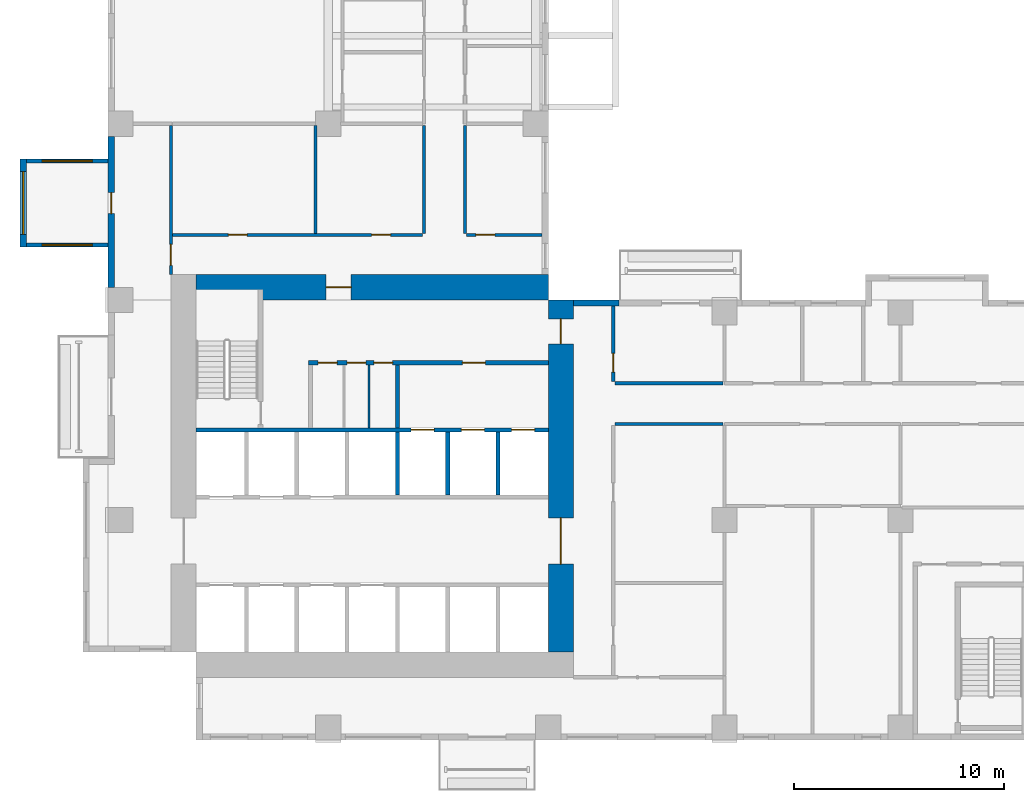
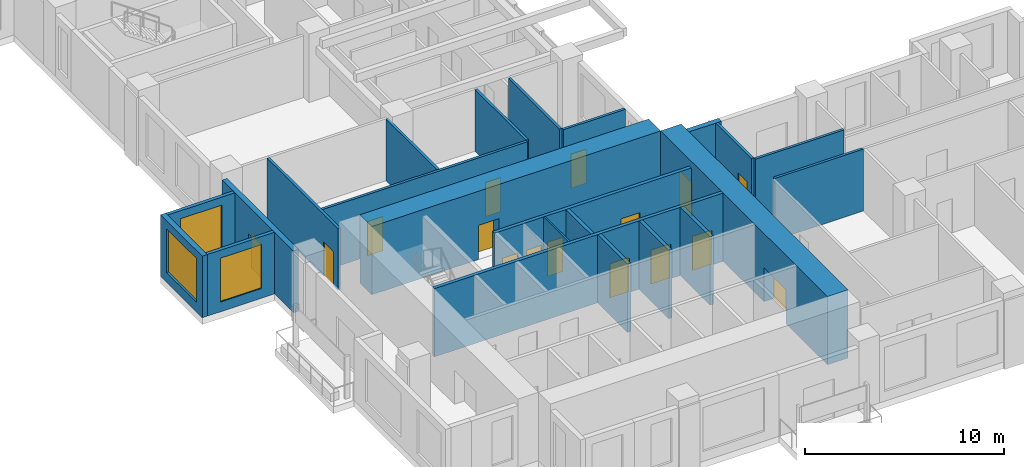
# One storey, part 3 of 14: 23 walls, 16 doors, 3 windows, 19 openings.
"""IFC4 building model written with IfcOpenShell, lengths in metres."""

from ifc_helpers import new_model, si_unit, direction, frame, frame_2d, origin, place, context, subcontext, project, spatial, rectangle, extrude, source, transform, mapped, material, layer, layer_set, type_object, element, fill, save


model = new_model("IFC4")

# Units and contexts
model_context = context("Model", 3, precision=1e-05, world=origin(), true_north=direction((0.0, 1.0)))
body_context = subcontext(model_context, "Body", "Model", "MODEL_VIEW")
ifc_project = project(units=[si_unit("LENGTHUNIT", "METRE"), si_unit("AREAUNIT", "SQUARE_METRE"), si_unit("VOLUMEUNIT", "CUBIC_METRE"), si_unit("PLANEANGLEUNIT", "RADIAN"), si_unit("MASSUNIT", "GRAM", prefix="KILO")], contexts=[model_context])

# Site, building, storey
site_placement = place(None, origin())
site = spatial("IfcSite", under=ifc_project, at=site_placement, CompositionType="ELEMENT")
building_placement = place(site_placement, origin())
building = spatial("IfcBuilding", under=site, at=building_placement, Name="Aurelian Terraces", CompositionType="ELEMENT")
storey_placement = place(building_placement, frame((0.0, 0.0, 44.7)))
storey = spatial("IfcBuildingStorey", under=building, at=storey_placement, Name="L08", CompositionType="ELEMENT", Elevation=44.7)

# Wall, opening, window
ifc_material_1 = material(Name="Concrete fc' 40 MPa", Category="concrete")
ifc_layer_1 = layer(ifc_material_1, 0.3)
ifc_layer_set_1 = layer_set([ifc_layer_1], Name="BOX BEARING WALL 300")
wall_type_1 = type_object("IfcWallType", Name="BOX BEARING WALL 300", PredefinedType="SOLIDWALL", material=ifc_layer_set_1)
wall_1_placement = place(storey_placement, frame((-4.05, 27.72, 0.0), z_axis=(0.0, 0.0, 1.0), x_axis=(0.0, -1.0, 0.0)))
wall_1 = element("IfcWall", 1, at=wall_1_placement, inside=storey, type_object=wall_type_1, Name="Box wall L08 J03", PredefinedType="SOLIDWALL", context=body_context, shape_type="SweptSolid", body=[
    extrude(rectangle(XDim=4.2, YDim=0.3, at=frame_2d((2.1, 0.0))), origin(), (0.0, 0.0, 1.0), 3.79),
])
shared_shape_1 = source(origin(), body_context, "Body", "SweptSolid", [
    extrude(rectangle(XDim=3.0, YDim=2.7, at=frame_2d((1.5, 1.35))), frame((0.0, 0.16, 0.0), z_axis=(0.0, -1.0, 0.0), x_axis=(1.0, 0.0, 0.0)), (0.0, 0.0, 1.0), 0.32),
])
opening_1_placement = place(wall_1_placement, frame((0.6, 0.0, 0.6)))
opening_1 = element("IfcOpeningElement", 2, at=opening_1_placement, cuts=wall_1, Name="Opening W3027", PredefinedType="OPENING", context=body_context, shape_type="MappedRepresentation", body=[
    mapped(shared_shape_1, transform((0.0, 0.0, 0.0), scale=1.0)),
])
ifc_material_2 = material(Name="Clear glazing", Category="glass")
window_type_1 = type_object("IfcWindowType", Name="W-3000x2700", PartitioningType="SINGLE_PANEL", PredefinedType="WINDOW", material=ifc_material_2)
shared_shape_2 = source(origin(), body_context, "Body", "SweptSolid", [
    extrude(rectangle(XDim=3.0, YDim=2.7, at=frame_2d((1.5, 1.35))), frame((0.0, 0.03, 0.0), z_axis=(0.0, -1.0, 0.0), x_axis=(1.0, 0.0, 0.0)), (0.0, 0.0, 1.0), 0.06),
])
window_1_placement = place(opening_1_placement, origin())
window_1 = element("IfcWindow", 3, at=window_1_placement, inside=storey, type_object=window_type_1, Name="Window L08 J03-F1", OverallHeight=2.7, OverallWidth=3.0, PartitioningType="SINGLE_PANEL", PredefinedType="WINDOW", context=body_context, shape_type="MappedRepresentation", body=[
    mapped(shared_shape_2, transform((0.0, 0.0, 0.0), scale=1.0)),
])
fill(opening_1, window_1)

# Wall, openings, doors
ifc_material_3 = material(Name="Concrete fc' 83 MPa", Category="concrete")
ifc_layer_2 = layer(ifc_material_3, 1.2)
ifc_layer_set_2 = layer_set([ifc_layer_2], Name="CORE WALL 1200 FC83")
wall_type_2 = type_object("IfcWallType", Name="CORE WALL 1200 FC83", PredefinedType="SHEAR", material=ifc_layer_set_2)
shared_shape_3 = source(origin(), body_context, "Body", "SweptSolid", [
    extrude(rectangle(XDim=16.8, YDim=1.2, at=frame_2d((8.4, 0.0))), origin(), (0.0, 0.0, 1.0), 4.2),
])
wall_2_placement = place(storey_placement, frame((21.6, 4.2, 0.0), z_axis=(0.0, 0.0, 1.0), x_axis=(0.0, 1.0, 0.0)))
wall_2 = element("IfcWall", 4, at=wall_2_placement, inside=storey, type_object=wall_type_2, Name="Core wall E L08", PredefinedType="SHEAR", context=body_context, shape_type="MappedRepresentation", body=[
    mapped(shared_shape_3, transform((0.0, 0.0, 0.0), scale=1.0)),
])
shared_shape_4 = source(origin(), body_context, "Body", "SweptSolid", [
    extrude(rectangle(XDim=2.2, YDim=2.1, at=frame_2d((1.1, 1.05))), frame((0.0, 0.61, 0.0), z_axis=(0.0, -1.0, 0.0), x_axis=(1.0, 0.0, 0.0)), (0.0, 0.0, 1.0), 1.22),
])
opening_2_placement = place(wall_2_placement, frame((4.2, 0.0, 0.0)))
opening_2 = element("IfcOpeningElement", 5, at=opening_2_placement, cuts=wall_2, Name="Opening 61121", PredefinedType="OPENING", context=body_context, shape_type="MappedRepresentation", body=[
    mapped(shared_shape_4, transform((0.0, 0.0, 0.0), scale=1.0)),
])
shared_shape_5 = source(origin(), body_context, "Body", "SweptSolid", [
    extrude(rectangle(XDim=1.2, YDim=2.1, at=frame_2d((0.6, 1.05))), frame((0.0, 0.61, 0.0), z_axis=(0.0, -1.0, 0.0), x_axis=(1.0, 0.0, 0.0)), (0.0, 0.0, 1.0), 1.22),
])
opening_3_placement = place(wall_2_placement, frame((14.7, 0.0, 0.0)))
opening_3 = element("IfcOpeningElement", 6, at=opening_3_placement, cuts=wall_2, Name="Opening 61124", PredefinedType="OPENING", context=body_context, shape_type="MappedRepresentation", body=[
    mapped(shared_shape_5, transform((0.0, 0.0, 0.0), scale=1.0)),
])
ifc_material_4 = material(Name="Steel door leaf", Category="steel")
door_type_1 = type_object("IfcDoorType", Name="Core fire door 1200x2100", OperationType="SINGLE_SWING_LEFT", PredefinedType="DOOR", material=ifc_material_4)
shared_shape_6 = source(origin(), body_context, "Body", "SweptSolid", [
    extrude(rectangle(XDim=1.2, YDim=2.1, at=frame_2d((0.6, 1.05))), frame((0.0, 0.025, 0.0), z_axis=(0.0, -1.0, 0.0), x_axis=(1.0, 0.0, 0.0)), (0.0, 0.0, 1.0), 0.05),
])
door_1_placement = place(opening_3_placement, origin())
door_1 = element("IfcDoor", 7, at=door_1_placement, inside=storey, type_object=door_type_1, Name="Core door 61124", OperationType="SINGLE_SWING_LEFT", OverallHeight=2.1, OverallWidth=1.2, PredefinedType="DOOR", context=body_context, shape_type="MappedRepresentation", body=[
    mapped(shared_shape_6, transform((0.0, 0.0, 0.0), scale=1.0)),
])
fill(opening_3, door_1)
door_type_2 = type_object("IfcDoorType", Name="Core double door 2200x2100", OperationType="DOUBLE_DOOR_SINGLE_SWING", PredefinedType="DOOR", material=ifc_material_4)
shared_shape_7 = source(origin(), body_context, "Body", "SweptSolid", [
    extrude(rectangle(XDim=2.2, YDim=2.1, at=frame_2d((1.1, 1.05))), frame((0.0, 0.025, 0.0), z_axis=(0.0, -1.0, 0.0), x_axis=(1.0, 0.0, 0.0)), (0.0, 0.0, 1.0), 0.05),
])
door_2_placement = place(opening_2_placement, origin())
door_2 = element("IfcDoor", 8, at=door_2_placement, inside=storey, type_object=door_type_2, Name="Core door 61121", OperationType="DOUBLE_DOOR_SINGLE_SWING", OverallHeight=2.1, OverallWidth=2.2, PredefinedType="DOOR", context=body_context, shape_type="MappedRepresentation", body=[
    mapped(shared_shape_7, transform((0.0, 0.0, 0.0), scale=1.0)),
])
fill(opening_2, door_2)

# Wall, opening, door
wall_3_placement = place(storey_placement, frame((4.2, 21.6, 0.0), z_axis=(0.0, 0.0, 1.0), x_axis=(1.0, 0.0, 0.0)))
wall_3 = element("IfcWall", 9, at=wall_3_placement, inside=storey, type_object=wall_type_2, Name="Core wall N L08", PredefinedType="SHEAR", context=body_context, shape_type="MappedRepresentation", body=[
    mapped(shared_shape_3, transform((0.0, 0.0, 0.0), scale=1.0)),
])
opening_4_placement = place(wall_3_placement, frame((6.2, 0.0, 0.0)))
opening_4 = element("IfcOpeningElement", 10, at=opening_4_placement, cuts=wall_3, Name="Opening 61123", PredefinedType="OPENING", context=body_context, shape_type="MappedRepresentation", body=[
    mapped(shared_shape_5, transform((0.0, 0.0, 0.0), scale=1.0)),
])
door_type_3 = type_object("IfcDoorType", Name="Core fire door 1200x2100 right", OperationType="SINGLE_SWING_RIGHT", PredefinedType="DOOR", material=ifc_material_4)
door_3_placement = place(opening_4_placement, origin())
door_3 = element("IfcDoor", 11, at=door_3_placement, inside=storey, type_object=door_type_3, Name="Core door 61123", OperationType="SINGLE_SWING_RIGHT", OverallHeight=2.1, OverallWidth=1.2, PredefinedType="DOOR", context=body_context, shape_type="MappedRepresentation", body=[
    mapped(shared_shape_6, transform((0.0, 0.0, 0.0), scale=1.0)),
])
fill(opening_4, door_3)

ifc_material_5 = material(Name="Terracotta rainscreen cladding", Category="masonry")
ifc_layer_3 = layer(ifc_material_5, 0.3)
ifc_layer_set_3 = layer_set([ifc_layer_3], Name="EW-300")
wall_type_3 = type_object("IfcWallType", Name="EW-300", PredefinedType="STANDARD", material=ifc_layer_set_3)
shared_shape_8 = source(origin(), body_context, "Body", "SweptSolid", [
    extrude(rectangle(XDim=7.2, YDim=0.3, at=frame_2d((3.6, 0.0))), origin(), (0.0, 0.0, 1.0), 3.8),
])
wall_4_placement = place(storey_placement, frame((0.15, 28.8, 0.0), z_axis=(0.0, 0.0, 1.0), x_axis=(0.0, -1.0, 0.0)))
wall_4 = element("IfcWall", 12, at=wall_4_placement, inside=storey, type_object=wall_type_3, Name="External wall L08 F14.42", PredefinedType="STANDARD", context=body_context, shape_type="MappedRepresentation", body=[
    mapped(shared_shape_8, transform((0.0, 0.0, 0.0), scale=1.0)),
])
shared_shape_9 = source(origin(), body_context, "Body", "SweptSolid", [
    extrude(rectangle(XDim=1.0, YDim=2.1, at=frame_2d((0.5, 1.05))), frame((0.0, 0.16, 0.0), z_axis=(0.0, -1.0, 0.0), x_axis=(1.0, 0.0, 0.0)), (0.0, 0.0, 1.0), 0.32),
])
opening_5_placement = place(wall_4_placement, frame((2.68, 0.0, 0.0)))
opening_5 = element("IfcOpeningElement", 13, at=opening_5_placement, cuts=wall_4, Name="Opening 808003", PredefinedType="OPENING", context=body_context, shape_type="MappedRepresentation", body=[
    mapped(shared_shape_9, transform((0.0, 0.0, 0.0), scale=1.0)),
])
ifc_material_6 = material(Name="Timber door leaf", Category="wood")
door_type_4 = type_object("IfcDoorType", Name="Room door 1000x2100 left", OperationType="SINGLE_SWING_LEFT", PredefinedType="DOOR", material=ifc_material_6)
shared_shape_10 = source(origin(), body_context, "Body", "SweptSolid", [
    extrude(rectangle(XDim=1.0, YDim=2.1, at=frame_2d((0.5, 1.05))), frame((0.0, 0.025, 0.0), z_axis=(0.0, -1.0, 0.0), x_axis=(1.0, 0.0, 0.0)), (0.0, 0.0, 1.0), 0.05),
])
door_4_placement = place(opening_5_placement, origin())
door_4 = element("IfcDoor", 14, at=door_4_placement, inside=storey, type_object=door_type_4, Name="Door 808003", OperationType="SINGLE_SWING_LEFT", OverallHeight=2.1, OverallWidth=1.0, PredefinedType="DOOR", context=body_context, shape_type="MappedRepresentation", body=[
    mapped(shared_shape_10, transform((0.0, 0.0, 0.0), scale=1.0)),
])
fill(opening_5, door_4)

# Wall
shared_shape_11 = source(origin(), body_context, "Body", "SweptSolid", [
    extrude(rectangle(XDim=2.16, YDim=0.3, at=frame_2d((1.08, 0.0))), origin(), (0.0, 0.0, 1.0), 3.8),
])
wall_5_placement = place(storey_placement, frame((24.36, 20.85, 0.0), z_axis=(0.0, 0.0, 1.0), x_axis=(-1.0, 0.0, 0.0)))
element("IfcWall", 15, at=wall_5_placement, inside=storey, type_object=wall_type_3, Name="External wall L08 F07.27", PredefinedType="STANDARD", context=body_context, shape_type="MappedRepresentation", body=[
    mapped(shared_shape_11, transform((0.0, 0.0, 0.0), scale=1.0)),
])

# Wall, opening, window
ifc_layer_4 = layer(ifc_material_1, 0.2)
ifc_layer_set_4 = layer_set([ifc_layer_4], Name="BOX BEARING WALL 200")
wall_type_4 = type_object("IfcWallType", Name="BOX BEARING WALL 200", PredefinedType="SOLIDWALL", material=ifc_layer_set_4)
shared_shape_12 = source(origin(), body_context, "Body", "SweptSolid", [
    extrude(rectangle(XDim=3.9, YDim=0.2, at=frame_2d((1.95, 0.0))), origin(), (0.0, 0.0, 1.0), 3.79),
])
wall_6_placement = place(storey_placement, frame((0.0, 27.62, 0.0), z_axis=(0.0, 0.0, 1.0), x_axis=(-1.0, 0.0, 0.0)))
wall_6 = element("IfcWall", 16, at=wall_6_placement, inside=storey, type_object=wall_type_4, Name="Box return L08 J03.1", PredefinedType="SOLIDWALL", context=body_context, shape_type="MappedRepresentation", body=[
    mapped(shared_shape_12, transform((0.0, 0.0, 0.0), scale=1.0)),
])
shared_shape_13 = source(origin(), body_context, "Body", "SweptSolid", [
    extrude(rectangle(XDim=2.4, YDim=2.7, at=frame_2d((1.2, 1.35))), frame((0.0, 0.11, 0.0), z_axis=(0.0, -1.0, 0.0), x_axis=(1.0, 0.0, 0.0)), (0.0, 0.0, 1.0), 0.22),
])
opening_6_placement = place(wall_6_placement, frame((0.75, 0.0, 0.6)))
opening_6 = element("IfcOpeningElement", 17, at=opening_6_placement, cuts=wall_6, Name="Opening W2427", PredefinedType="OPENING", context=body_context, shape_type="MappedRepresentation", body=[
    mapped(shared_shape_13, transform((0.0, 0.0, 0.0), scale=1.0)),
])
window_type_2 = type_object("IfcWindowType", Name="W-2400x2700", PartitioningType="SINGLE_PANEL", PredefinedType="WINDOW", material=ifc_material_2)
shared_shape_14 = source(origin(), body_context, "Body", "SweptSolid", [
    extrude(rectangle(XDim=2.4, YDim=2.7, at=frame_2d((1.2, 1.35))), frame((0.0, 0.03, 0.0), z_axis=(0.0, -1.0, 0.0), x_axis=(1.0, 0.0, 0.0)), (0.0, 0.0, 1.0), 0.06),
])
window_2_placement = place(opening_6_placement, origin())
window_2 = element("IfcWindow", 18, at=window_2_placement, inside=storey, type_object=window_type_2, Name="Window L08 J03-S1", OverallHeight=2.7, OverallWidth=2.4, PartitioningType="SINGLE_PANEL", PredefinedType="WINDOW", context=body_context, shape_type="MappedRepresentation", body=[
    mapped(shared_shape_14, transform((0.0, 0.0, 0.0), scale=1.0)),
])
fill(opening_6, window_2)

wall_7_placement = place(storey_placement, frame((0.0, 23.62, 0.0), z_axis=(0.0, 0.0, 1.0), x_axis=(-1.0, 0.0, 0.0)))
wall_7 = element("IfcWall", 19, at=wall_7_placement, inside=storey, type_object=wall_type_4, Name="Box return L08 J03.2", PredefinedType="SOLIDWALL", context=body_context, shape_type="MappedRepresentation", body=[
    mapped(shared_shape_12, transform((0.0, 0.0, 0.0), scale=1.0)),
])
opening_7_placement = place(wall_7_placement, frame((0.75, 0.0, 0.6)))
opening_7 = element("IfcOpeningElement", 20, at=opening_7_placement, cuts=wall_7, Name="Opening W2427", PredefinedType="OPENING", context=body_context, shape_type="MappedRepresentation", body=[
    mapped(shared_shape_13, transform((0.0, 0.0, 0.0), scale=1.0)),
])
window_3_placement = place(opening_7_placement, origin())
window_3 = element("IfcWindow", 21, at=window_3_placement, inside=storey, type_object=window_type_2, Name="Window L08 J03-S2", OverallHeight=2.7, OverallWidth=2.4, PartitioningType="SINGLE_PANEL", PredefinedType="WINDOW", context=body_context, shape_type="MappedRepresentation", body=[
    mapped(shared_shape_14, transform((0.0, 0.0, 0.0), scale=1.0)),
])
fill(opening_7, window_3)

# Walls
ifc_layer_5 = layer(ifc_material_1, 0.2)
ifc_layer_set_5 = layer_set([ifc_layer_5], Name="Lift shaft wall 200")
wall_type_5 = type_object("IfcWallType", Name="Lift shaft wall 200", PredefinedType="SOLIDWALL", material=ifc_layer_set_5)
shared_shape_15 = source(origin(), body_context, "Body", "SweptSolid", [
    extrude(rectangle(XDim=3.0, YDim=0.2, at=frame_2d((1.5, 0.0))), origin(), (0.0, 0.0, 1.0), 4.2),
])
for number, where, z_axis, x_axis, name in (
    (22, (13.8, 11.7, 0.0), (0.0, 0.0, 1.0), (0.0, 1.0, 0.0), "L08 core wall CD-B4"),
    (23, (16.2, 11.7, 0.0), (0.0, 0.0, 1.0), (0.0, 1.0, 0.0), "L08 core wall CD-B5"),
    (24, (18.6, 11.7, 0.0), (0.0, 0.0, 1.0), (0.0, 1.0, 0.0), "L08 core wall CD-B6"),
):
    element("IfcWall", number, at=place(storey_placement, frame(where, z_axis=z_axis, x_axis=x_axis)), inside=storey, type_object=wall_type_5, Name=name, PredefinedType="SOLIDWALL", context=body_context, shape_type="MappedRepresentation", body=[
        mapped(shared_shape_15, transform((0.0, 0.0, 0.0), scale=1.0)),
    ])

# Wall, openings, doors
shared_shape_16 = source(origin(), body_context, "Body", "SweptSolid", [
    extrude(rectangle(XDim=16.8, YDim=0.2, at=frame_2d((8.4, 0.0))), origin(), (0.0, 0.0, 1.0), 4.2),
])
wall_8_placement = place(storey_placement, frame((4.2, 14.8, 0.0), z_axis=(0.0, 0.0, 1.0), x_axis=(1.0, 0.0, 0.0)))
wall_8 = element("IfcWall", 25, at=wall_8_placement, inside=storey, type_object=wall_type_5, Name="L08 core wall CF-BB1", PredefinedType="SOLIDWALL", context=body_context, shape_type="MappedRepresentation", body=[
    mapped(shared_shape_16, transform((0.0, 0.0, 0.0), scale=1.0)),
])
shared_shape_17 = source(origin(), body_context, "Body", "SweptSolid", [
    extrude(rectangle(XDim=1.1, YDim=2.1, at=frame_2d((0.55, 1.05))), frame((0.0, 0.11, 0.0), z_axis=(0.0, -1.0, 0.0), x_axis=(1.0, 0.0, 0.0)), (0.0, 0.0, 1.0), 0.22),
])
opening_8_placement = place(wall_8_placement, frame((10.25, 0.0, 0.0)))
opening_8 = element("IfcOpeningElement", 26, at=opening_8_placement, cuts=wall_8, Name="Opening 61107", PredefinedType="OPENING", context=body_context, shape_type="MappedRepresentation", body=[
    mapped(shared_shape_17, transform((0.0, 0.0, 0.0), scale=1.0)),
])
opening_9_placement = place(wall_8_placement, frame((12.65, 0.0, 0.0)))
opening_9 = element("IfcOpeningElement", 27, at=opening_9_placement, cuts=wall_8, Name="Opening 61108", PredefinedType="OPENING", context=body_context, shape_type="MappedRepresentation", body=[
    mapped(shared_shape_17, transform((0.0, 0.0, 0.0), scale=1.0)),
])
opening_10_placement = place(wall_8_placement, frame((15.05, 0.0, 0.0)))
opening_10 = element("IfcOpeningElement", 28, at=opening_10_placement, cuts=wall_8, Name="Opening 61109", PredefinedType="OPENING", context=body_context, shape_type="MappedRepresentation", body=[
    mapped(shared_shape_17, transform((0.0, 0.0, 0.0), scale=1.0)),
])
ifc_material_7 = material(Name="Stainless steel", Category="steel")
door_type_5 = type_object("IfcDoorType", Name="Lift landing door 1100x2100", OperationType="SLIDING_TO_LEFT", PredefinedType="DOOR", material=ifc_material_7)
shared_shape_18 = source(origin(), body_context, "Body", "SweptSolid", [
    extrude(rectangle(XDim=1.1, YDim=2.1, at=frame_2d((0.55, 1.05))), frame((0.0, 0.025, 0.0), z_axis=(0.0, -1.0, 0.0), x_axis=(1.0, 0.0, 0.0)), (0.0, 0.0, 1.0), 0.05),
])
door_5_placement = place(opening_8_placement, origin())
door_5 = element("IfcDoor", 29, at=door_5_placement, inside=storey, type_object=door_type_5, Name="Lift landing door F1 L08", OperationType="SLIDING_TO_LEFT", OverallHeight=2.1, OverallWidth=1.1, PredefinedType="DOOR", context=body_context, shape_type="MappedRepresentation", body=[
    mapped(shared_shape_18, transform((0.0, 0.0, 0.0), scale=1.0)),
])
fill(opening_8, door_5)
door_6_placement = place(opening_9_placement, origin())
door_6 = element("IfcDoor", 30, at=door_6_placement, inside=storey, type_object=door_type_5, Name="Lift landing door F2 L08", OperationType="SLIDING_TO_LEFT", OverallHeight=2.1, OverallWidth=1.1, PredefinedType="DOOR", context=body_context, shape_type="MappedRepresentation", body=[
    mapped(shared_shape_18, transform((0.0, 0.0, 0.0), scale=1.0)),
])
fill(opening_9, door_6)
door_7_placement = place(opening_10_placement, origin())
door_7 = element("IfcDoor", 31, at=door_7_placement, inside=storey, type_object=door_type_5, Name="Lift landing door F3 L08", OperationType="SLIDING_TO_LEFT", OverallHeight=2.1, OverallWidth=1.1, PredefinedType="DOOR", context=body_context, shape_type="MappedRepresentation", body=[
    mapped(shared_shape_18, transform((0.0, 0.0, 0.0), scale=1.0)),
])
fill(opening_10, door_7)

# Walls
ifc_material_8 = material(Name="Gypsum board on steel studs", Category="steel")
ifc_layer_6 = layer(ifc_material_8, 0.2)
ifc_layer_set_6 = layer_set([ifc_layer_6], Name="Core partition 200")
wall_type_6 = type_object("IfcWallType", Name="Core partition 200", PredefinedType="PARTITIONING", material=ifc_layer_set_6)
shared_shape_19 = source(origin(), body_context, "Body", "SweptSolid", [
    extrude(rectangle(XDim=3.0, YDim=0.2, at=frame_2d((1.5, 0.0))), origin(), (0.0, 0.0, 1.0), 3.8),
])
wall_9_placement = place(storey_placement, frame((13.8, 14.9, 0.0), z_axis=(0.0, 0.0, 1.0), x_axis=(0.0, 1.0, 0.0)))
element("IfcWall", 32, at=wall_9_placement, inside=storey, type_object=wall_type_6, Name="L08 core wall CP-FFL", PredefinedType="PARTITIONING", context=body_context, shape_type="MappedRepresentation", body=[
    mapped(shared_shape_19, transform((0.0, 0.0, 0.0), scale=1.0)),
])
ifc_layer_7 = layer(ifc_material_8, 0.1)
ifc_layer_set_7 = layer_set([ifc_layer_7], Name="Core partition 100")
wall_type_7 = type_object("IfcWallType", Name="Core partition 100", PredefinedType="PARTITIONING", material=ifc_layer_set_7)
shared_shape_20 = source(origin(), body_context, "Body", "SweptSolid", [
    extrude(rectangle(XDim=3.0, YDim=0.1, at=frame_2d((1.5, 0.0))), origin(), (0.0, 0.0, 1.0), 3.8),
])
wall_10_placement = place(storey_placement, frame((12.45, 14.9, 0.0), z_axis=(0.0, 0.0, 1.0), x_axis=(0.0, 1.0, 0.0)))
element("IfcWall", 33, at=wall_10_placement, inside=storey, type_object=wall_type_7, Name="L08 core wall CP-SV2", PredefinedType="PARTITIONING", context=body_context, shape_type="MappedRepresentation", body=[
    mapped(shared_shape_20, transform((0.0, 0.0, 0.0), scale=1.0)),
])

# Wall, openings, doors
shared_shape_21 = source(origin(), body_context, "Body", "SweptSolid", [
    extrude(rectangle(XDim=11.45, YDim=0.2, at=frame_2d((5.725, 0.0))), origin(), (0.0, 0.0, 1.0), 3.8),
])
wall_11_placement = place(storey_placement, frame((9.55, 18.0, 0.0), z_axis=(0.0, 0.0, 1.0), x_axis=(1.0, 0.0, 0.0)))
wall_11 = element("IfcWall", 34, at=wall_11_placement, inside=storey, type_object=wall_type_6, Name="L08 core wall CP-NORTH", PredefinedType="PARTITIONING", context=body_context, shape_type="MappedRepresentation", body=[
    mapped(shared_shape_21, transform((0.0, 0.0, 0.0), scale=1.0)),
])
shared_shape_22 = source(origin(), body_context, "Body", "SweptSolid", [
    extrude(rectangle(XDim=0.9, YDim=2.1, at=frame_2d((0.45, 1.05))), frame((0.0, 0.11, 0.0), z_axis=(0.0, -1.0, 0.0), x_axis=(1.0, 0.0, 0.0)), (0.0, 0.0, 1.0), 0.22),
])
opening_11_placement = place(wall_11_placement, frame((0.475, 0.0, 0.0)))
opening_11 = element("IfcOpeningElement", 35, at=opening_11_placement, cuts=wall_11, Name="Opening 61111", PredefinedType="OPENING", context=body_context, shape_type="MappedRepresentation", body=[
    mapped(shared_shape_22, transform((0.0, 0.0, 0.0), scale=1.0)),
])
opening_12_placement = place(wall_11_placement, frame((1.85, 0.0, 0.0)))
opening_12 = element("IfcOpeningElement", 36, at=opening_12_placement, cuts=wall_11, Name="Opening 61112", PredefinedType="OPENING", context=body_context, shape_type="MappedRepresentation", body=[
    mapped(shared_shape_22, transform((0.0, 0.0, 0.0), scale=1.0)),
])
opening_13_placement = place(wall_11_placement, frame((3.125, 0.0, 0.0)))
opening_13 = element("IfcOpeningElement", 37, at=opening_13_placement, cuts=wall_11, Name="Opening 61113", PredefinedType="OPENING", context=body_context, shape_type="MappedRepresentation", body=[
    mapped(shared_shape_22, transform((0.0, 0.0, 0.0), scale=1.0)),
])
opening_14_placement = place(wall_11_placement, frame((7.35, 0.0, 0.0)))
opening_14 = element("IfcOpeningElement", 38, at=opening_14_placement, cuts=wall_11, Name="Opening 61114", PredefinedType="OPENING", context=body_context, shape_type="MappedRepresentation", body=[
    mapped(shared_shape_17, transform((0.0, 0.0, 0.0), scale=1.0)),
])
door_type_6 = type_object("IfcDoorType", Name="Core service door 900x2100", OperationType="SINGLE_SWING_LEFT", PredefinedType="DOOR", material=ifc_material_4)
shared_shape_23 = source(origin(), body_context, "Body", "SweptSolid", [
    extrude(rectangle(XDim=0.9, YDim=2.1, at=frame_2d((0.45, 1.05))), frame((0.0, 0.025, 0.0), z_axis=(0.0, -1.0, 0.0), x_axis=(1.0, 0.0, 0.0)), (0.0, 0.0, 1.0), 0.05),
])
door_8_placement = place(opening_11_placement, origin())
door_8 = element("IfcDoor", 39, at=door_8_placement, inside=storey, type_object=door_type_6, Name="Room door 61111", OperationType="SINGLE_SWING_LEFT", OverallHeight=2.1, OverallWidth=0.9, PredefinedType="DOOR", context=body_context, shape_type="MappedRepresentation", body=[
    mapped(shared_shape_23, transform((0.0, 0.0, 0.0), scale=1.0)),
])
fill(opening_11, door_8)
door_type_7 = type_object("IfcDoorType", Name="Core riser door 900x2100 right", OperationType="SINGLE_SWING_RIGHT", PredefinedType="DOOR", material=ifc_material_4)
door_9_placement = place(opening_12_placement, origin())
door_9 = element("IfcDoor", 40, at=door_9_placement, inside=storey, type_object=door_type_7, Name="Room door 61112", OperationType="SINGLE_SWING_RIGHT", OverallHeight=2.1, OverallWidth=0.9, PredefinedType="DOOR", context=body_context, shape_type="MappedRepresentation", body=[
    mapped(shared_shape_23, transform((0.0, 0.0, 0.0), scale=1.0)),
])
fill(opening_12, door_9)
door_10_placement = place(opening_13_placement, origin())
door_10 = element("IfcDoor", 41, at=door_10_placement, inside=storey, type_object=door_type_6, Name="Room door 61113", OperationType="SINGLE_SWING_LEFT", OverallHeight=2.1, OverallWidth=0.9, PredefinedType="DOOR", context=body_context, shape_type="MappedRepresentation", body=[
    mapped(shared_shape_23, transform((0.0, 0.0, 0.0), scale=1.0)),
])
fill(opening_13, door_10)
door_type_8 = type_object("IfcDoorType", Name="Core fire door 1100x2100 right", OperationType="SINGLE_SWING_RIGHT", PredefinedType="DOOR", material=ifc_material_4)
door_11_placement = place(opening_14_placement, origin())
door_11 = element("IfcDoor", 42, at=door_11_placement, inside=storey, type_object=door_type_8, Name="Ff lobby door 61114", OperationType="SINGLE_SWING_RIGHT", OverallHeight=2.1, OverallWidth=1.1, PredefinedType="DOOR", context=body_context, shape_type="MappedRepresentation", body=[
    mapped(shared_shape_18, transform((0.0, 0.0, 0.0), scale=1.0)),
])
fill(opening_14, door_11)

# Walls
ifc_layer_8 = layer(ifc_material_8, 0.15)
ifc_layer_set_8 = layer_set([ifc_layer_8], Name="Fire partition 150")
wall_type_8 = type_object("IfcWallType", Name="Fire partition 150", PredefinedType="PARTITIONING", material=ifc_layer_set_8)
shared_shape_24 = source(origin(), body_context, "Body", "SweptSolid", [
    extrude(rectangle(XDim=5.15, YDim=0.15, at=frame_2d((2.575, 0.0))), origin(), (0.0, 0.0, 1.0), 3.8),
])
for number, where, z_axis, x_axis, name in (
    (43, (29.325, 15.075, 0.0), (0.0, 0.0, 1.0), (-1.0, 0.0, 0.0), "Corridor wall"),
    (44, (24.175, 17.025, 0.0), (0.0, 0.0, 1.0), (1.0, 0.0, 0.0), "Corridor wall"),
):
    element("IfcWall", number, at=place(storey_placement, frame(where, z_axis=z_axis, x_axis=x_axis)), inside=storey, type_object=wall_type_8, Name=name, PredefinedType="PARTITIONING", context=body_context, shape_type="MappedRepresentation", body=[
        mapped(shared_shape_24, transform((0.0, 0.0, 0.0), scale=1.0)),
    ])
ifc_layer_9 = layer(ifc_material_8, 0.15)
ifc_layer_set_9 = layer_set([ifc_layer_9], Name="Partition 150")
wall_type_9 = type_object("IfcWallType", Name="Partition 150", PredefinedType="PARTITIONING", material=ifc_layer_set_9)
wall_12_placement = place(storey_placement, frame((9.9, 24.175, 0.0), z_axis=(0.0, 0.0, 1.0), x_axis=(0.0, 1.0, 0.0)))
element("IfcWall", 45, at=wall_12_placement, inside=storey, type_object=wall_type_9, Name="Partition", PredefinedType="PARTITIONING", context=body_context, shape_type="MappedRepresentation", body=[
    mapped(shared_shape_24, transform((0.0, 0.0, 0.0), scale=1.0)),
])
for number, where, z_axis, x_axis, name in (
    (46, (15.075, 24.175, 0.0), (0.0, 0.0, 1.0), (0.0, 1.0, 0.0), "Corridor wall"),
    (47, (17.025, 29.325, 0.0), (0.0, 0.0, 1.0), (0.0, -1.0, 0.0), "Corridor wall"),
):
    element("IfcWall", number, at=place(storey_placement, frame(where, z_axis=z_axis, x_axis=x_axis)), inside=storey, type_object=wall_type_8, Name=name, PredefinedType="PARTITIONING", context=body_context, shape_type="MappedRepresentation", body=[
        mapped(shared_shape_24, transform((0.0, 0.0, 0.0), scale=1.0)),
    ])

# Wall, opening, door
shared_shape_25 = source(origin(), body_context, "Body", "SweptSolid", [
    extrude(rectangle(XDim=3.6, YDim=0.15, at=frame_2d((1.8, 0.0))), origin(), (0.0, 0.0, 1.0), 3.8),
])
wall_13_placement = place(storey_placement, frame((24.1, 20.7, 0.0), z_axis=(0.0, 0.0, 1.0), x_axis=(0.0, -1.0, 0.0)))
wall_13 = element("IfcWall", 48, at=wall_13_placement, inside=storey, type_object=wall_type_9, Name="Partition", PredefinedType="PARTITIONING", context=body_context, shape_type="MappedRepresentation", body=[
    mapped(shared_shape_25, transform((0.0, 0.0, 0.0), scale=1.0)),
])
shared_shape_26 = source(origin(), body_context, "Body", "SweptSolid", [
    extrude(rectangle(XDim=0.9, YDim=2.1, at=frame_2d((0.45, 1.05))), frame((0.0, 0.085, 0.0), z_axis=(0.0, -1.0, 0.0), x_axis=(1.0, 0.0, 0.0)), (0.0, 0.0, 1.0), 0.17),
])
opening_15_placement = place(wall_13_placement, frame((2.25, 0.0, 0.0)))
opening_15 = element("IfcOpeningElement", 49, at=opening_15_placement, cuts=wall_13, Name="Opening 708003", PredefinedType="OPENING", context=body_context, shape_type="MappedRepresentation", body=[
    mapped(shared_shape_26, transform((0.0, 0.0, 0.0), scale=1.0)),
])
door_type_9 = type_object("IfcDoorType", Name="Room door 900x2100 right", OperationType="SINGLE_SWING_RIGHT", PredefinedType="DOOR", material=ifc_material_6)
door_12_placement = place(opening_15_placement, origin())
door_12 = element("IfcDoor", 50, at=door_12_placement, inside=storey, type_object=door_type_9, Name="Door 708003", OperationType="SINGLE_SWING_RIGHT", OverallHeight=2.1, OverallWidth=0.9, PredefinedType="DOOR", context=body_context, shape_type="MappedRepresentation", body=[
    mapped(shared_shape_23, transform((0.0, 0.0, 0.0), scale=1.0)),
])
fill(opening_15, door_12)

wall_14_placement = place(storey_placement, frame((17.1, 24.1, 0.0), z_axis=(0.0, 0.0, 1.0), x_axis=(1.0, 0.0, 0.0)))
wall_14 = element("IfcWall", 51, at=wall_14_placement, inside=storey, type_object=wall_type_9, Name="Partition", PredefinedType="PARTITIONING", context=body_context, shape_type="MappedRepresentation", body=[
    mapped(shared_shape_25, transform((0.0, 0.0, 0.0), scale=1.0)),
])
opening_16_placement = place(wall_14_placement, frame((0.45, 0.0, 0.0)))
opening_16 = element("IfcOpeningElement", 52, at=opening_16_placement, cuts=wall_14, Name="Opening 708030", PredefinedType="OPENING", context=body_context, shape_type="MappedRepresentation", body=[
    mapped(shared_shape_26, transform((0.0, 0.0, 0.0), scale=1.0)),
])
door_13_placement = place(opening_16_placement, origin())
door_13 = element("IfcDoor", 53, at=door_13_placement, inside=storey, type_object=door_type_9, Name="Door 708030", OperationType="SINGLE_SWING_RIGHT", OverallHeight=2.1, OverallWidth=0.9, PredefinedType="DOOR", context=body_context, shape_type="MappedRepresentation", body=[
    mapped(shared_shape_23, transform((0.0, 0.0, 0.0), scale=1.0)),
])
fill(opening_16, door_13)

# Wall, openings, doors
shared_shape_27 = source(origin(), body_context, "Body", "SweptSolid", [
    extrude(rectangle(XDim=11.925, YDim=0.15, at=frame_2d((5.9625, 0.0))), origin(), (0.0, 0.0, 1.0), 3.8),
])
wall_15_placement = place(storey_placement, frame((3.075, 24.1, 0.0), z_axis=(0.0, 0.0, 1.0), x_axis=(1.0, 0.0, 0.0)))
wall_15 = element("IfcWall", 54, at=wall_15_placement, inside=storey, type_object=wall_type_9, Name="Partition", PredefinedType="PARTITIONING", context=body_context, shape_type="MappedRepresentation", body=[
    mapped(shared_shape_27, transform((0.0, 0.0, 0.0), scale=1.0)),
])
opening_17_placement = place(wall_15_placement, frame((2.6625, 0.0, 0.0)))
opening_17 = element("IfcOpeningElement", 55, at=opening_17_placement, cuts=wall_15, Name="Opening 708028", PredefinedType="OPENING", context=body_context, shape_type="MappedRepresentation", body=[
    mapped(shared_shape_26, transform((0.0, 0.0, 0.0), scale=1.0)),
])
opening_18_placement = place(wall_15_placement, frame((9.5, 0.0, 0.0)))
opening_18 = element("IfcOpeningElement", 56, at=opening_18_placement, cuts=wall_15, Name="Opening 708029", PredefinedType="OPENING", context=body_context, shape_type="MappedRepresentation", body=[
    mapped(shared_shape_26, transform((0.0, 0.0, 0.0), scale=1.0)),
])
door_14_placement = place(opening_17_placement, origin())
door_14 = element("IfcDoor", 57, at=door_14_placement, inside=storey, type_object=door_type_9, Name="Door 708028", OperationType="SINGLE_SWING_RIGHT", OverallHeight=2.1, OverallWidth=0.9, PredefinedType="DOOR", context=body_context, shape_type="MappedRepresentation", body=[
    mapped(shared_shape_23, transform((0.0, 0.0, 0.0), scale=1.0)),
])
fill(opening_17, door_14)
door_type_10 = type_object("IfcDoorType", Name="Room door 900x2100 left", OperationType="SINGLE_SWING_LEFT", PredefinedType="DOOR", material=ifc_material_6)
door_15_placement = place(opening_18_placement, origin())
door_15 = element("IfcDoor", 58, at=door_15_placement, inside=storey, type_object=door_type_10, Name="Door 708029", OperationType="SINGLE_SWING_LEFT", OverallHeight=2.1, OverallWidth=0.9, PredefinedType="DOOR", context=body_context, shape_type="MappedRepresentation", body=[
    mapped(shared_shape_23, transform((0.0, 0.0, 0.0), scale=1.0)),
])
fill(opening_18, door_15)

# Wall, opening, door
shared_shape_28 = source(origin(), body_context, "Body", "SweptSolid", [
    extrude(rectangle(XDim=7.125, YDim=0.15, at=frame_2d((3.5625, 0.0))), origin(), (0.0, 0.0, 1.0), 3.8),
])
wall_16_placement = place(storey_placement, frame((3.0, 29.325, 0.0), z_axis=(0.0, 0.0, 1.0), x_axis=(0.0, -1.0, 0.0)))
wall_16 = element("IfcWall", 59, at=wall_16_placement, inside=storey, type_object=wall_type_9, Name="Partition", PredefinedType="PARTITIONING", context=body_context, shape_type="MappedRepresentation", body=[
    mapped(shared_shape_28, transform((0.0, 0.0, 0.0), scale=1.0)),
])
shared_shape_29 = source(origin(), body_context, "Body", "SweptSolid", [
    extrude(rectangle(XDim=1.0, YDim=2.1, at=frame_2d((0.5, 1.05))), frame((0.0, 0.085, 0.0), z_axis=(0.0, -1.0, 0.0), x_axis=(1.0, 0.0, 0.0)), (0.0, 0.0, 1.0), 0.17),
])
opening_19_placement = place(wall_16_placement, frame((5.675, 0.0, 0.0)))
opening_19 = element("IfcOpeningElement", 60, at=opening_19_placement, cuts=wall_16, Name="Opening 708031", PredefinedType="OPENING", context=body_context, shape_type="MappedRepresentation", body=[
    mapped(shared_shape_29, transform((0.0, 0.0, 0.0), scale=1.0)),
])
door_16_placement = place(opening_19_placement, origin())
door_16 = element("IfcDoor", 61, at=door_16_placement, inside=storey, type_object=door_type_4, Name="Door 708031", OperationType="SINGLE_SWING_LEFT", OverallHeight=2.1, OverallWidth=1.0, PredefinedType="DOOR", context=body_context, shape_type="MappedRepresentation", body=[
    mapped(shared_shape_10, transform((0.0, 0.0, 0.0), scale=1.0)),
])
fill(opening_19, door_16)

save(model, "model.ifc")
